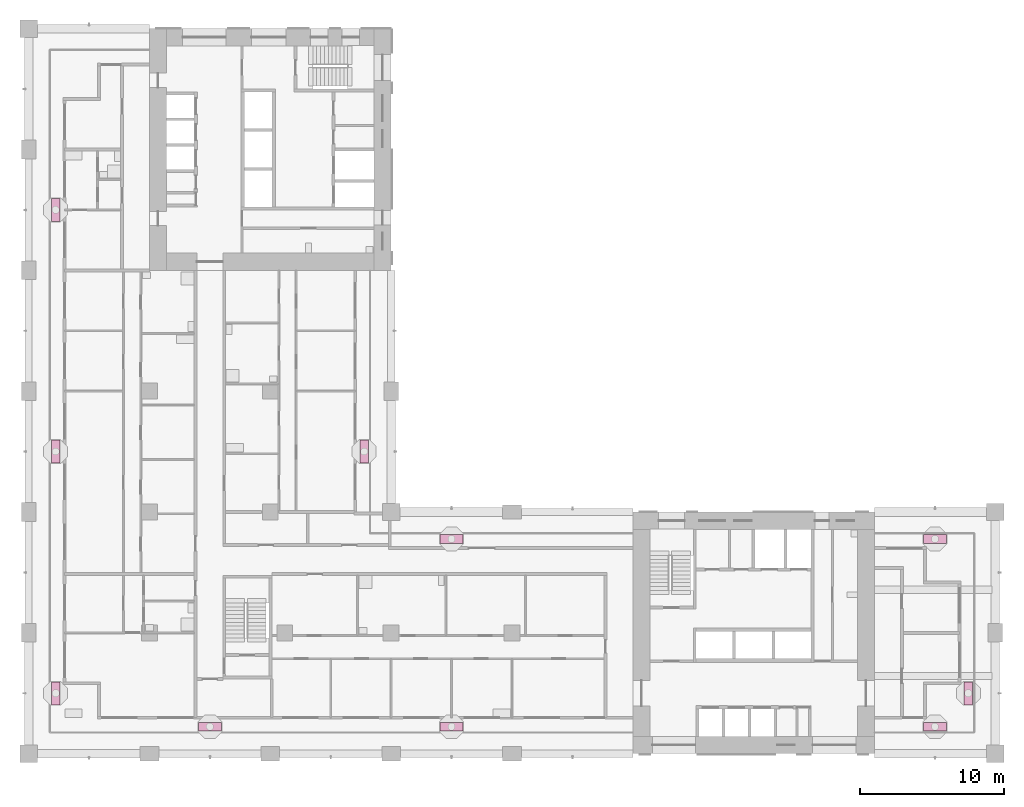
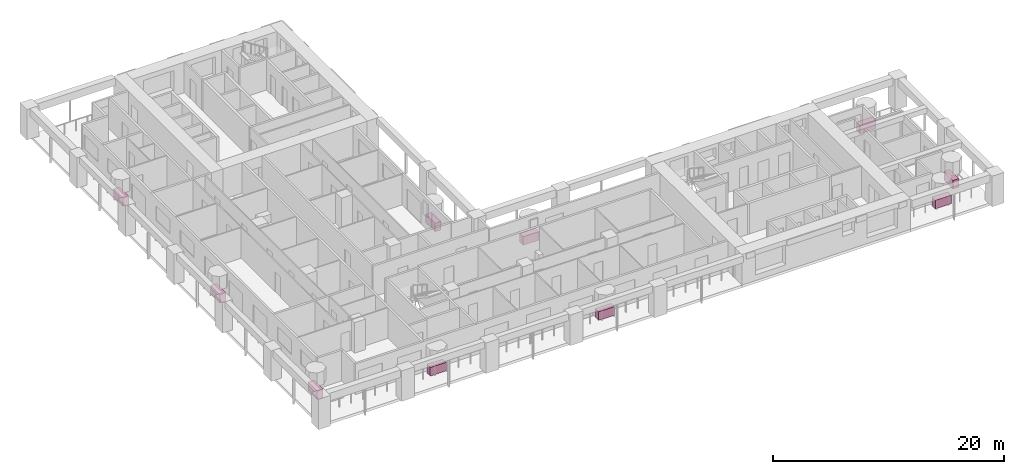
# One storey, part 17 of 18: 10 furniture elements.
"""IFC4 building model written with IfcOpenShell, lengths in metres."""

from ifc_helpers import new_model, si_unit, direction, frame, origin, origin_2d, place, context, subcontext, project, spatial, rectangle, extrude, material, element, save


model = new_model("IFC4")

# Units and contexts
model_context = context("Model", 3, precision=1e-05, world=origin(), true_north=direction((0.0, 1.0)))
body_context = subcontext(model_context, "Body", "Model", "MODEL_VIEW")
ifc_project = project(units=[si_unit("LENGTHUNIT", "METRE"), si_unit("AREAUNIT", "SQUARE_METRE"), si_unit("VOLUMEUNIT", "CUBIC_METRE"), si_unit("PLANEANGLEUNIT", "RADIAN"), si_unit("MASSUNIT", "GRAM", prefix="KILO")], contexts=[model_context])

# Site, building, storey
site_placement = place(None, origin())
site = spatial("IfcSite", under=ifc_project, at=site_placement, CompositionType="ELEMENT")
building_placement = place(site_placement, origin())
building = spatial("IfcBuilding", under=site, at=building_placement, Name="Vermilion Gate Residences", CompositionType="ELEMENT")
storey_placement = place(building_placement, frame((0.0, 0.0, 105.699951171875)))
storey = spatial("IfcBuildingStorey", under=building, at=storey_placement, Name="L26", CompositionType="ELEMENT", Elevation=105.699951171875)

# Furniture
ifc_material = material(Name="Terracotta planter", Category="masonry")
for number, where, z_axis, x_axis, name in (
    (1, (12.60009765625, 10.27490234375, 0.0), (0.0, 0.0, 1.0), (1.0, 0.0, 0.0), "PLANTER"),
    (2, (29.39990234375, 10.27490234375, 0.0), (0.0, 0.0, 1.0), (1.0, 0.0, 0.0), "PLANTER"),
    (3, (63.0, 10.27490234375, 0.0), (0.0, 0.0, 1.0), (1.0, 0.0, 0.0), "PLANTER"),
    (4, (65.324951171875, 12.60009765625, 0.0), (0.0, 0.0, 1.0), (0.0, 1.0, 0.0), "PLANTER"),
    (5, (29.39990234375, 23.324951171875, 0.0), (0.0, 0.0, 1.0), (-1.0, 0.0, 0.0), "PLANTER"),
    (6, (63.0, 23.324951171875, 0.0), (0.0, 0.0, 1.0), (-1.0, 0.0, 0.0), "PLANTER"),
    (7, (23.324951171875, 29.39990234375, 0.0), (0.0, 0.0, 1.0), (0.0, 1.0, 0.0), "PLANTER"),
    (8, (1.875, 12.60009765625, 0.0), (0.0, 0.0, 1.0), (0.0, -1.0, 0.0), "PLANTER"),
    (9, (1.875, 29.39990234375, 0.0), (0.0, 0.0, 1.0), (0.0, -1.0, 0.0), "PLANTER"),
    (10, (1.875, 46.199951171875, 0.0), (0.0, 0.0, 1.0), (0.0, -1.0, 0.0), "PLANTER"),
):
    element("IfcFurniture", number, at=place(storey_placement, frame(where, z_axis=z_axis, x_axis=x_axis)), inside=storey, material=ifc_material, Name=name, ObjectType="PLANTER", PredefinedType="USERDEFINED", context=body_context, shape_type="SweptSolid", body=[
        extrude(rectangle(XDim=1.60009765625, YDim=0.60009765625, at=origin_2d()), origin(), (0.0, 0.0, 1.0), 0.89990234375),
    ])

save(model, "model.ifc")
